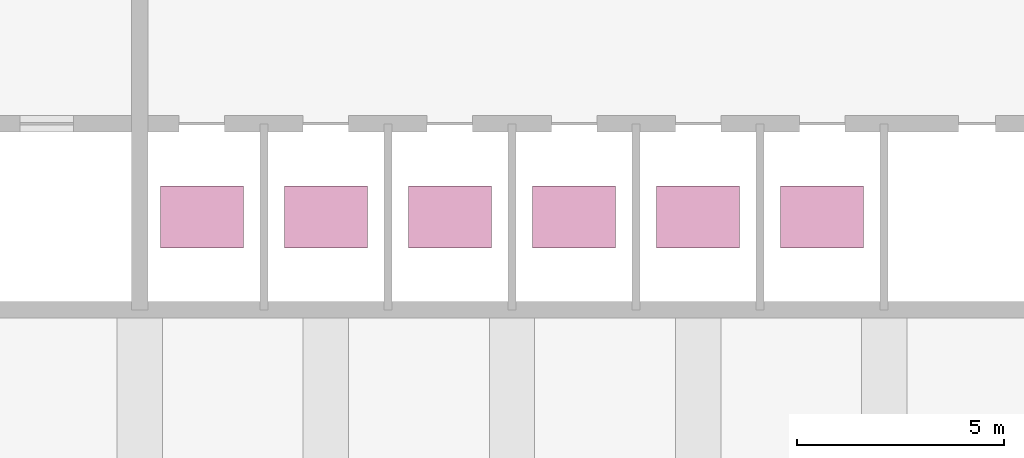
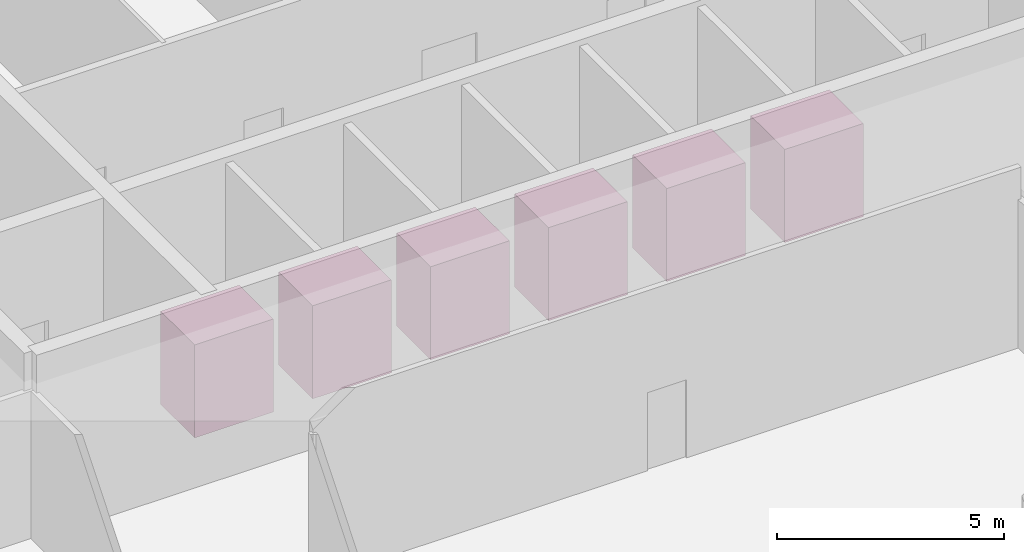
# One storey, part 12 of 12: 6 transport elements.
"""IFC4 building model written with IfcOpenShell, lengths in metres."""

from ifc_helpers import new_model, si_unit, direction, frame, origin, origin_2d, place, context, subcontext, project, spatial, rectangle, extrude, material, type_object, element, save


model = new_model("IFC4")

# Units and contexts
model_context = context("Model", 3, precision=1e-05, world=origin(), true_north=direction((0.0, 1.0)))
body_context = subcontext(model_context, "Body", "Model", "MODEL_VIEW")
ifc_project = project(units=[si_unit("LENGTHUNIT", "METRE"), si_unit("AREAUNIT", "SQUARE_METRE"), si_unit("VOLUMEUNIT", "CUBIC_METRE"), si_unit("PLANEANGLEUNIT", "RADIAN"), si_unit("MASSUNIT", "GRAM", prefix="KILO")], contexts=[model_context])

# Site, building, storey
site_placement = place(None, origin())
site = spatial("IfcSite", under=ifc_project, at=site_placement, CompositionType="ELEMENT")
building_placement = place(site_placement, origin())
building = spatial("IfcBuilding", under=site, at=building_placement, Name="Corais Broadcast Tower", CompositionType="ELEMENT")
storey_placement = place(building_placement, frame((0.0, 0.0, 205.60009765625)))
storey = spatial("IfcBuildingStorey", under=building, at=storey_placement, Name="L47", CompositionType="ELEMENT", Elevation=205.60009765625)

# Transport elements
ifc_material = material(Name="Stainless steel lift car", Category="steel")
transport_element_type = type_object("IfcTransportElementType", Name="Lift car 2000x1500", PredefinedType="ELEVATOR", material=ifc_material)
for number, where, z_axis, x_axis, name in (
    (1, (19.5, 15.75, 0.0), (0.0, 0.0, 1.0), (1.0, 0.0, 0.0), "Lift PH1"),
    (2, (22.5, 15.75, 0.0), (0.0, 0.0, 1.0), (1.0, 0.0, 0.0), "Lift PH2"),
    (3, (25.5, 15.75, 0.0), (0.0, 0.0, 1.0), (1.0, 0.0, 0.0), "Lift PH3"),
    (4, (28.5, 15.75, 0.0), (0.0, 0.0, 1.0), (1.0, 0.0, 0.0), "Lift PH4"),
    (5, (31.5, 15.75, 0.0), (0.0, 0.0, 1.0), (1.0, 0.0, 0.0), "Lift PH5"),
    (6, (34.5, 15.75, 0.0), (0.0, 0.0, 1.0), (1.0, 0.0, 0.0), "Lift PH6"),
):
    element("IfcTransportElement", number, at=place(storey_placement, frame(where, z_axis=z_axis, x_axis=x_axis)), inside=storey, type_object=transport_element_type, Name=name, PredefinedType="ELEVATOR", context=body_context, shape_type="SweptSolid", body=[
        extrude(rectangle(XDim=2.0, YDim=1.5, at=origin_2d()), origin(), (0.0, 0.0, 1.0), 2.5),
    ])

save(model, "model.ifc")
